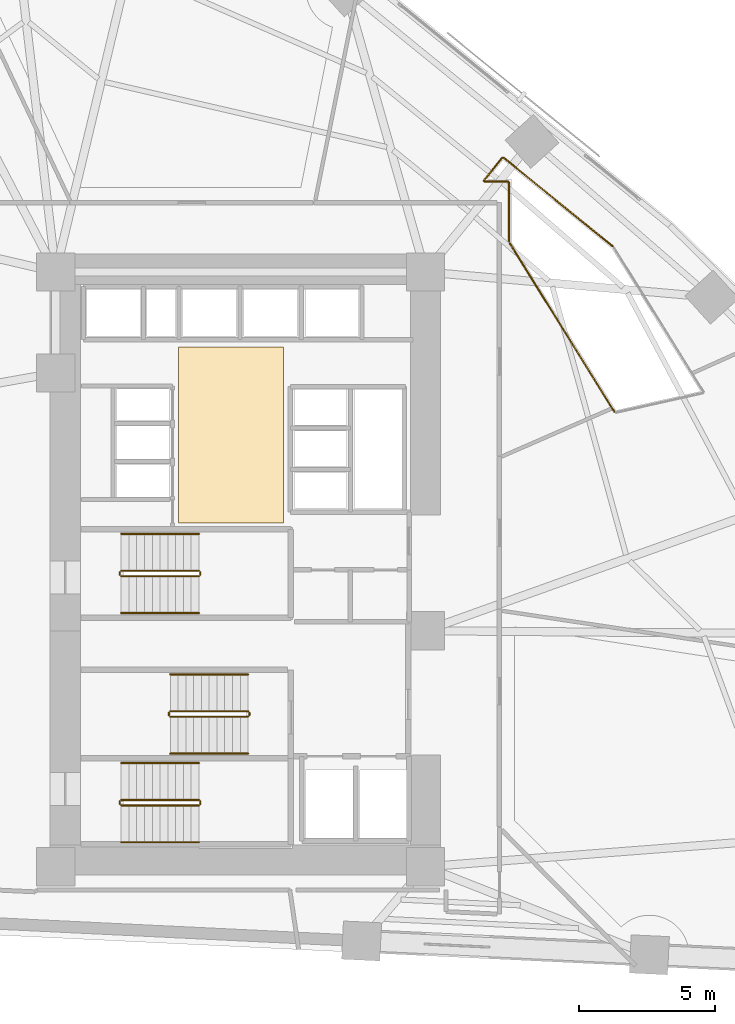
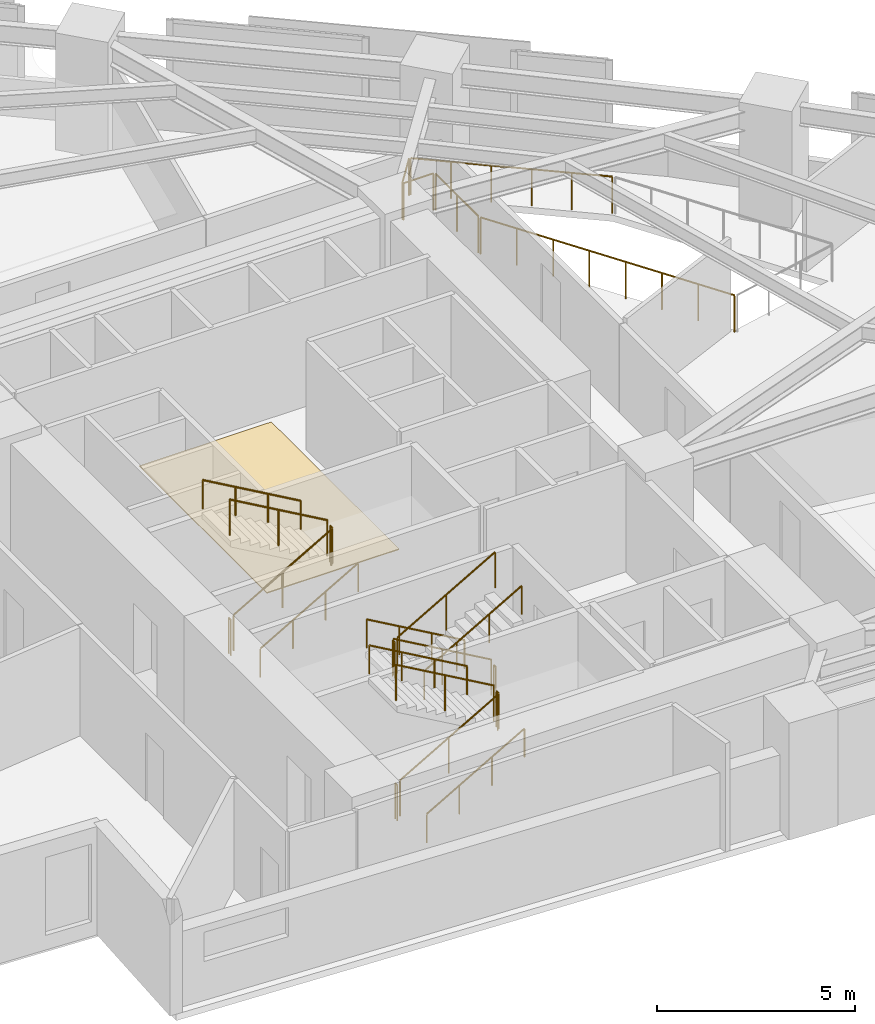
# One storey, part 16 of 17: 23 railings, 1 covering.
"""IFC4 building model written with IfcOpenShell, lengths in metres."""

import ifcopenshell
import ifcopenshell.guid

model = None  # the IFC model being written
_history = None  # IfcOwnerHistory: only IFC2X3 demands one
_inside = {}  # id of a spatial element -> (the spatial element, [elements in it])
_under = {}  # id of a project, library or spatial element -> (it, [spatial elements below it])
_declared = {}  # id of a project -> (the project, [libraries it declares])
_typed = {}  # id of a type object -> (the type object, [elements of that type])
_made_of = {}  # id of a material, layer set ... -> (it, [elements and type objects made of it])


def new_model(schema):
    """Start an empty IFC model of exactly this schema.

    Asked for "IFC4X3", IfcOpenShell would pick the latest addendum, in which some entities
    have other attributes; the version numbers below select the first issue.
    IFC2X3 requires an IfcOwnerHistory on every rooted entity: one is made here for all.
    """
    global model, _history
    if schema == "IFC4X3":
        model = ifcopenshell.file(schema_version=(4, 3, 0, 0))
    else:
        model = ifcopenshell.file(schema=schema)
    _inside.clear()
    _under.clear()
    _declared.clear()
    _typed.clear()
    _made_of.clear()
    _history = None
    if model.schema == "IFC2X3":
        org = make("IfcOrganization", Name="unknown")
        user = make(
            "IfcPersonAndOrganization",
            ThePerson=make("IfcPerson", FamilyName="unknown"),
            TheOrganization=org,
        )
        app = make(
            "IfcApplication",
            ApplicationDeveloper=org,
            Version="unknown",
            ApplicationFullName="unknown",
            ApplicationIdentifier="unknown",
        )
        _history = make(
            "IfcOwnerHistory",
            OwningUser=user,
            OwningApplication=app,
            ChangeAction="ADDED",
            CreationDate=0,
        )
    return model


def make(cls, **values):
    """One entity of the class cls with the attributes given. An attribute that is None is left unset."""
    return model.create_entity(
        cls, **{name: value for name, value in values.items() if value is not None}
    )


def rooted(cls, **values):
    """An entity with a GlobalId (a new one), such as an element, a storey or a relation."""
    return make(cls, GlobalId=ifcopenshell.guid.new(), OwnerHistory=_history, **values)


def si_unit(unit_type, name, prefix=None):
    """IfcSIUnit, for example si_unit("LENGTHUNIT", "METRE", prefix="MILLI")."""
    return make("IfcSIUnit", UnitType=unit_type, Prefix=prefix, Name=name)


def assignment(units):
    """IfcUnitAssignment: the units of a project."""
    return None if units is None else make("IfcUnitAssignment", Units=units)


def point(xyz):
    """IfcCartesianPoint."""
    return None if xyz is None else make("IfcCartesianPoint", Coordinates=xyz)


def direction(xyz):
    """IfcDirection."""
    return None if xyz is None else make("IfcDirection", DirectionRatios=xyz)


def frame(location, z_axis=None, x_axis=None):
    """IfcAxis2Placement3D, a coordinate frame: its origin and axes. An axis left out is left unset."""
    return make(
        "IfcAxis2Placement3D",
        Location=point(location),
        Axis=direction(z_axis),
        RefDirection=direction(x_axis),
    )


def frame_2d(location, x_axis=None):
    """IfcAxis2Placement2D, a coordinate frame in the plane: its origin and x axis."""
    return make(
        "IfcAxis2Placement2D", Location=point(location), RefDirection=direction(x_axis)
    )


def origin():
    """The frame at (0, 0, 0) with its axes left unset."""
    return frame((0.0, 0.0, 0.0))


def origin_2d():
    """The frame at (0, 0) in the plane with its x axis left unset."""
    return frame_2d((0.0, 0.0))


def place(relative_to, where):
    """IfcLocalPlacement: puts the frame where relative to a parent placement (None: the world)."""
    return make(
        "IfcLocalPlacement", PlacementRelTo=relative_to, RelativePlacement=where
    )


def context(
    kind, dimensions, precision=None, world=None, true_north=None, identifier=None
):
    """IfcGeometricRepresentationContext, for example the 3D "Model" context."""
    return make(
        "IfcGeometricRepresentationContext",
        ContextIdentifier=identifier,
        ContextType=kind,
        CoordinateSpaceDimension=dimensions,
        Precision=precision,
        WorldCoordinateSystem=world,
        TrueNorth=true_north,
    )


def subcontext(parent, identifier, kind, view, scale=None):
    """IfcGeometricRepresentationSubContext, for example "Body" below "Model"."""
    return make(
        "IfcGeometricRepresentationSubContext",
        ContextIdentifier=identifier,
        ContextType=kind,
        ParentContext=parent,
        TargetScale=scale,
        TargetView=view,
    )


def project(units=None, contexts=None):
    """IfcProject with its units and contexts."""
    return rooted(
        "IfcProject",
        Name="project",
        RepresentationContexts=contexts,
        UnitsInContext=assignment(units),
    )


def spatial(cls, under=None, at=None, **own):
    """A site, building, storey or space (cls), placed at a placement, below another one or the project."""
    s = rooted(cls, ObjectPlacement=at, **own)
    if under is not None:
        _under.setdefault(under.id(), (under, []))[1].append(s)
    return s


def polyline(points):
    """IfcPolyline through the points."""
    return make("IfcPolyline", Points=[point(p) for p in points])


def profile(cls, at=None, kind="AREA", **sizes):
    """A parametric profile (cls). Its sizes go by their IFC names, for example OverallWidth=200.0."""
    return make(cls, ProfileType=kind, Position=at, **sizes)


def circle(**sizes):
    """IfcCircleProfileDef."""
    return profile("IfcCircleProfileDef", **sizes)


def outline(outer, holes=None, kind="AREA"):
    """IfcArbitraryClosedProfileDef: a profile drawn as a closed curve; with holes, ...WithVoids."""
    if holes is None:
        return make("IfcArbitraryClosedProfileDef", ProfileType=kind, OuterCurve=outer)
    return make(
        "IfcArbitraryProfileDefWithVoids",
        ProfileType=kind,
        OuterCurve=outer,
        InnerCurves=holes,
    )


def extrude(swept, where, along, depth):
    """IfcExtrudedAreaSolid: the profile swept, set in the frame where, extruded along a direction by depth."""
    return make(
        "IfcExtrudedAreaSolid",
        SweptArea=swept,
        Position=where,
        ExtrudedDirection=direction(along),
        Depth=depth,
    )


def shape(context_of_items, identifier, shape_type, items):
    """IfcShapeRepresentation: the items that make up one representation, for example the "Body"."""
    return make(
        "IfcShapeRepresentation",
        ContextOfItems=context_of_items,
        RepresentationIdentifier=identifier,
        RepresentationType=shape_type,
        Items=items,
    )


def material(Name=None, Category=None):
    """IfcMaterial."""
    return make("IfcMaterial", Name=Name, Category=Category)


def layer(
    of_material, thickness, ventilated=None, Name=None, Category=None, Priority=None
):
    """IfcMaterialLayer: one layer of a wall or slab, of a material (None: an air gap)."""
    return make(
        "IfcMaterialLayer",
        Material=of_material,
        LayerThickness=thickness,
        IsVentilated=ventilated,
        Name=Name,
        Category=Category,
        Priority=Priority,
    )


def layer_set(layers, Name=None):
    """IfcMaterialLayerSet."""
    return make("IfcMaterialLayerSet", MaterialLayers=layers, LayerSetName=Name)


def made_of(thing, what):
    """Note that an element or type object is made of a material, layer set ...; save() writes the relation."""
    if what is not None:
        _made_of.setdefault(what.id(), (what, []))[1].append(thing)
    return thing


def type_object(cls, material=None, **own):
    """A type object (cls), such as IfcWallType, which elements share."""
    return made_of(rooted(cls, **own), material)


def element(
    cls,
    number,
    at=None,
    inside=None,
    cuts=None,
    type_object=None,
    material=None,
    context=None,
    identifier="Body",
    shape_type=None,
    held_by="IfcProductDefinitionShape",
    body=None,
    shapes=None,
    **own,
):
    """One element of the class cls, such as IfcWall. Its Tag is "e" and its number.

    at: its placement. inside: the storey or other place that contains it. cuts: it is an
    opening in that element (IfcRelVoidsElement). A single representation is given by context,
    identifier, shape_type and body (its items); several are given by shapes. held_by: the class
    of the entity that holds the representations. save() writes the other relations.
    """
    e = rooted(cls, Tag="e%d" % number, ObjectPlacement=at, **own)
    if body is not None:
        shapes = [shape(context, identifier, shape_type, body)]
    if shapes is not None:
        e.Representation = make(held_by, Representations=shapes)
    if inside is not None:
        _inside.setdefault(inside.id(), (inside, []))[1].append(e)
    if cuts is not None:
        rooted(
            "IfcRelVoidsElement", RelatingBuildingElement=cuts, RelatedOpeningElement=e
        )
    if type_object is not None:
        _typed.setdefault(type_object.id(), (type_object, []))[1].append(e)
    return made_of(e, material)


def aggregate(whole, parts):
    """IfcRelAggregates: a whole, such as a stair, and the parts it consists of."""
    return rooted("IfcRelAggregates", RelatingObject=whole, RelatedObjects=parts)


def save(model, path):
    """Write the relations noted so far, then the file.

    IfcRelAggregates (storeys below a building ...), IfcRelContainedInSpatialStructure (elements
    in a storey), IfcRelDefinesByType, IfcRelAssociatesMaterial and IfcRelDeclares: one each for
    every whole, place, type object, material and project.
    """
    for whole, parts in _under.values():
        aggregate(whole, parts)
    for where, things in _inside.values():
        rooted(
            "IfcRelContainedInSpatialStructure",
            RelatedElements=things,
            RelatingStructure=where,
        )
    for kind, things in _typed.values():
        rooted("IfcRelDefinesByType", RelatedObjects=things, RelatingType=kind)
    for what, things in _made_of.values():
        rooted("IfcRelAssociatesMaterial", RelatedObjects=things, RelatingMaterial=what)
    for by, libraries in _declared.values():
        rooted("IfcRelDeclares", RelatingContext=by, RelatedDefinitions=libraries)
    model.write(path)


model = new_model("IFC4")

# Units and contexts
model_context = context("Model", 3, precision=1e-05, world=origin(), true_north=direction((0.0, 1.0)))
body_context = subcontext(model_context, "Body", "Model", "MODEL_VIEW")
ifc_project = project(units=[si_unit("LENGTHUNIT", "METRE"), si_unit("AREAUNIT", "SQUARE_METRE"), si_unit("VOLUMEUNIT", "CUBIC_METRE"), si_unit("PLANEANGLEUNIT", "RADIAN"), si_unit("MASSUNIT", "GRAM", prefix="KILO")], contexts=[model_context])

# Site, building, storey
site_placement = place(None, origin())
site = spatial("IfcSite", under=ifc_project, at=site_placement, CompositionType="ELEMENT")
building_placement = place(site_placement, origin())
building = spatial("IfcBuilding", under=site, at=building_placement, Name="Narakoshi Arena Tower", CompositionType="ELEMENT")
storey_placement = place(building_placement, frame((0.0, 0.0, 33.89990234375)))
storey = spatial("IfcBuildingStorey", under=building, at=storey_placement, Name="L08", CompositionType="ELEMENT", Elevation=33.89990234375)

# Covering
ifc_material_1 = material(Name="Honed granite stone paving", Category="masonry")
ifc_layer = layer(ifc_material_1, 0.030029296875)
ifc_layer_set = layer_set([ifc_layer], Name="Honed granite stone paving")
covering_type = type_object("IfcCoveringType", Name="COV-FLR-ST30", PredefinedType="FLOORING", material=ifc_layer_set)
covering_placement = place(storey_placement, origin())
element("IfcCovering", 1, at=covering_placement, inside=storey, type_object=covering_type, Name="L08 Lift Lobby Granite Flooring", PredefinedType="FLOORING", context=body_context, shape_type="SweptSolid", body=[
    extrude(outline(polyline([(76.5, 47.300048828125), (80.35009765625, 47.300048828125), (80.35009765625, 53.75), (76.5, 53.75), (76.5, 47.300048828125)])), origin(), (0.0, 0.0, 1.0), 0.030029296875),
])

# Railings
ifc_material_2 = material(Name="Clear low-iron laminated structural glass", Category="glass")
railing_type_1 = type_object("IfcRailingType", Name="RL-BAL-1100", PredefinedType="BALUSTRADE", material=ifc_material_2)
railing_1_placement = place(storey_placement, frame((74.39990234375, 36.949951171875, 0.163818359375)))
element("IfcRailing", 2, at=railing_1_placement, inside=storey, type_object=railing_type_1, Name="L08 ST1 stair guard 1", PredefinedType="BALUSTRADE", context=body_context, shape_type="SweptSolid", body=[
    extrude(circle(Radius=0.02392578125, at=origin_2d()), frame((0.0, 0.0, 1.09619140625), z_axis=(0.867244780686, 0.0, 0.497882004468), x_axis=(0.0, 1.0, 0.0)), (0.0, 0.0, 1.0), 3.286376953125),
    extrude(circle(Radius=0.02099609375, at=origin_2d()), origin(), (0.0, 0.0, 1.0), 1.072021484375),
    extrude(circle(Radius=0.02099609375, at=origin_2d()), frame((1.425048828125, 0.0, 0.818115234375)), (0.0, 0.0, 1.0), 1.072021484375),
    extrude(circle(Radius=0.02099609375, at=origin_2d()), frame((2.85009765625, 0.0, 1.63623046875)), (0.0, 0.0, 1.0), 1.072021484375),
])
railing_2_placement = place(storey_placement, frame((77.300048828125, 37.0, 1.800048828125)))
element("IfcRailing", 3, at=railing_2_placement, inside=storey, type_object=railing_type_1, Name="L08 ST1 stair guard 2", PredefinedType="BALUSTRADE", context=body_context, shape_type="SweptSolid", body=[
    extrude(circle(Radius=0.02392578125, at=origin_2d()), frame((0.0, 0.0, 1.09619140625), z_axis=(0.0, 1.0, 0.0), x_axis=(-1.0, 0.0, 0.0)), (0.0, 0.0, 1.0), 0.10009765625),
    extrude(circle(Radius=0.02099609375, at=origin_2d()), origin(), (0.0, 0.0, 1.0), 1.072021484375),
    extrude(circle(Radius=0.02099609375, at=origin_2d()), frame((0.0, 0.10009765625, 0.0)), (0.0, 0.0, 1.0), 1.072021484375),
])
railing_3_placement = place(storey_placement, frame((77.25, 37.14990234375, 1.963623046875)))
element("IfcRailing", 4, at=railing_3_placement, inside=storey, type_object=railing_type_1, Name="L08 ST1 stair guard 3", PredefinedType="BALUSTRADE", context=body_context, shape_type="SweptSolid", body=[
    extrude(circle(Radius=0.02392578125, at=origin_2d()), frame((0.0, 0.0, 1.09619140625), z_axis=(-0.86721270334, 0.0, 0.497937874806), x_axis=(0.0, -1.0, 0.0)), (0.0, 0.0, 1.0), 3.28662109375),
    extrude(circle(Radius=0.02099609375, at=origin_2d()), origin(), (0.0, 0.0, 1.0), 1.072021484375),
    extrude(circle(Radius=0.02099609375, at=origin_2d()), frame((-1.425048828125, 0.0, 0.818359375)), (0.0, 0.0, 1.0), 1.072021484375),
    extrude(circle(Radius=0.02099609375, at=origin_2d()), frame((-2.85009765625, 0.0, 1.636474609375)), (0.0, 0.0, 1.0), 1.072021484375),
])
railing_4_placement = place(storey_placement, frame((74.35009765625, 37.0, 0.0)))
element("IfcRailing", 5, at=railing_4_placement, inside=storey, type_object=railing_type_1, Name="L08 ST1 stair guard 4", PredefinedType="BALUSTRADE", context=body_context, shape_type="SweptSolid", body=[
    extrude(circle(Radius=0.02392578125, at=origin_2d()), frame((0.0, 0.0, 1.09619140625), z_axis=(0.0, 1.0, 0.0), x_axis=(-1.0, 0.0, 0.0)), (0.0, 0.0, 1.0), 0.10009765625),
    extrude(circle(Radius=0.02099609375, at=origin_2d()), origin(), (0.0, 0.0, 1.0), 1.072021484375),
    extrude(circle(Radius=0.02099609375, at=origin_2d()), frame((0.0, 0.10009765625, 0.0)), (0.0, 0.0, 1.0), 1.072021484375),
])
railing_5_placement = place(storey_placement, frame((79.050048828125, 40.39990234375, 0.163818359375)))
element("IfcRailing", 6, at=railing_5_placement, inside=storey, type_object=railing_type_1, Name="L08 ST2 stair guard 1", PredefinedType="BALUSTRADE", context=body_context, shape_type="SweptSolid", body=[
    extrude(circle(Radius=0.02392578125, at=origin_2d()), frame((0.0, 0.0, 1.09619140625), z_axis=(-0.867244780686, 0.0, 0.497882004468), x_axis=(0.0, -1.0, 0.0)), (0.0, 0.0, 1.0), 3.286376953125),
    extrude(circle(Radius=0.02099609375, at=origin_2d()), origin(), (0.0, 0.0, 1.0), 1.072021484375),
    extrude(circle(Radius=0.02099609375, at=origin_2d()), frame((-1.425048828125, 0.0, 0.818115234375)), (0.0, 0.0, 1.0), 1.072021484375),
    extrude(circle(Radius=0.02099609375, at=origin_2d()), frame((-2.85009765625, 0.0, 1.63623046875)), (0.0, 0.0, 1.0), 1.072021484375),
])
railing_6_placement = place(storey_placement, frame((76.14990234375, 40.35009765625, 1.800048828125)))
element("IfcRailing", 7, at=railing_6_placement, inside=storey, type_object=railing_type_1, Name="L08 ST2 stair guard 2", PredefinedType="BALUSTRADE", context=body_context, shape_type="SweptSolid", body=[
    extrude(circle(Radius=0.02392578125, at=origin_2d()), frame((0.0, 0.0, 1.09619140625), z_axis=(0.0, -1.0, 0.0), x_axis=(1.0, 0.0, 0.0)), (0.0, 0.0, 1.0), 0.10009765625),
    extrude(circle(Radius=0.02099609375, at=origin_2d()), origin(), (0.0, 0.0, 1.0), 1.072021484375),
    extrude(circle(Radius=0.02099609375, at=origin_2d()), frame((0.0, -0.10009765625, 0.0)), (0.0, 0.0, 1.0), 1.072021484375),
])
railing_7_placement = place(storey_placement, frame((76.199951171875, 40.199951171875, 1.963623046875)))
element("IfcRailing", 8, at=railing_7_placement, inside=storey, type_object=railing_type_1, Name="L08 ST2 stair guard 3", PredefinedType="BALUSTRADE", context=body_context, shape_type="SweptSolid", body=[
    extrude(circle(Radius=0.02392578125, at=origin_2d()), frame((0.0, 0.0, 1.09619140625), z_axis=(0.86721270334, 0.0, 0.497937874806), x_axis=(0.0, 1.0, 0.0)), (0.0, 0.0, 1.0), 3.28662109375),
    extrude(circle(Radius=0.02099609375, at=origin_2d()), origin(), (0.0, 0.0, 1.0), 1.072021484375),
    extrude(circle(Radius=0.02099609375, at=origin_2d()), frame((1.425048828125, 0.0, 0.818359375)), (0.0, 0.0, 1.0), 1.072021484375),
    extrude(circle(Radius=0.02099609375, at=origin_2d()), frame((2.85009765625, 0.0, 1.636474609375)), (0.0, 0.0, 1.0), 1.072021484375),
])
railing_8_placement = place(storey_placement, frame((79.10009765625, 40.35009765625, 0.0)))
element("IfcRailing", 9, at=railing_8_placement, inside=storey, type_object=railing_type_1, Name="L08 ST2 stair guard 4", PredefinedType="BALUSTRADE", context=body_context, shape_type="SweptSolid", body=[
    extrude(circle(Radius=0.02392578125, at=origin_2d()), frame((0.0, 0.0, 1.09619140625), z_axis=(0.0, -1.0, 0.0), x_axis=(1.0, 0.0, 0.0)), (0.0, 0.0, 1.0), 0.10009765625),
    extrude(circle(Radius=0.02099609375, at=origin_2d()), origin(), (0.0, 0.0, 1.0), 1.072021484375),
    extrude(circle(Radius=0.02099609375, at=origin_2d()), frame((0.0, -0.10009765625, 0.0)), (0.0, 0.0, 1.0), 1.072021484375),
])
railing_9_placement = place(storey_placement, frame((74.39990234375, 45.35009765625, 0.163818359375)))
element("IfcRailing", 10, at=railing_9_placement, inside=storey, type_object=railing_type_1, Name="L08 ST3 stair guard 1", PredefinedType="BALUSTRADE", context=body_context, shape_type="SweptSolid", body=[
    extrude(circle(Radius=0.02392578125, at=origin_2d()), frame((0.0, 0.0, 1.09619140625), z_axis=(0.867244780686, 0.0, 0.497882004468), x_axis=(0.0, 1.0, 0.0)), (0.0, 0.0, 1.0), 3.286376953125),
    extrude(circle(Radius=0.02099609375, at=origin_2d()), origin(), (0.0, 0.0, 1.0), 1.072021484375),
    extrude(circle(Radius=0.02099609375, at=origin_2d()), frame((1.425048828125, 0.0, 0.818115234375)), (0.0, 0.0, 1.0), 1.072021484375),
    extrude(circle(Radius=0.02099609375, at=origin_2d()), frame((2.85009765625, 0.0, 1.63623046875)), (0.0, 0.0, 1.0), 1.072021484375),
])
railing_10_placement = place(storey_placement, frame((77.300048828125, 45.39990234375, 1.800048828125)))
element("IfcRailing", 11, at=railing_10_placement, inside=storey, type_object=railing_type_1, Name="L08 ST3 stair guard 2", PredefinedType="BALUSTRADE", context=body_context, shape_type="SweptSolid", body=[
    extrude(circle(Radius=0.02392578125, at=origin_2d()), frame((0.0, 0.0, 1.09619140625), z_axis=(0.0, 1.0, 0.0), x_axis=(-1.0, 0.0, 0.0)), (0.0, 0.0, 1.0), 0.10009765625),
    extrude(circle(Radius=0.02099609375, at=origin_2d()), origin(), (0.0, 0.0, 1.0), 1.072021484375),
    extrude(circle(Radius=0.02099609375, at=origin_2d()), frame((0.0, 0.10009765625, 0.0)), (0.0, 0.0, 1.0), 1.072021484375),
])
railing_11_placement = place(storey_placement, frame((77.25, 45.550048828125, 1.963623046875)))
element("IfcRailing", 12, at=railing_11_placement, inside=storey, type_object=railing_type_1, Name="L08 ST3 stair guard 3", PredefinedType="BALUSTRADE", context=body_context, shape_type="SweptSolid", body=[
    extrude(circle(Radius=0.02392578125, at=origin_2d()), frame((0.0, 0.0, 1.09619140625), z_axis=(-0.86721270334, 0.0, 0.497937874806), x_axis=(0.0, -1.0, 0.0)), (0.0, 0.0, 1.0), 3.28662109375),
    extrude(circle(Radius=0.02099609375, at=origin_2d()), origin(), (0.0, 0.0, 1.0), 1.072021484375),
    extrude(circle(Radius=0.02099609375, at=origin_2d()), frame((-1.425048828125, 0.0, 0.818359375)), (0.0, 0.0, 1.0), 1.072021484375),
    extrude(circle(Radius=0.02099609375, at=origin_2d()), frame((-2.85009765625, 0.0, 1.636474609375)), (0.0, 0.0, 1.0), 1.072021484375),
])
railing_12_placement = place(storey_placement, frame((74.35009765625, 45.39990234375, 0.0)))
element("IfcRailing", 13, at=railing_12_placement, inside=storey, type_object=railing_type_1, Name="L08 ST3 stair guard 4", PredefinedType="BALUSTRADE", context=body_context, shape_type="SweptSolid", body=[
    extrude(circle(Radius=0.02392578125, at=origin_2d()), frame((0.0, 0.0, 1.09619140625), z_axis=(0.0, 1.0, 0.0), x_axis=(-1.0, 0.0, 0.0)), (0.0, 0.0, 1.0), 0.10009765625),
    extrude(circle(Radius=0.02099609375, at=origin_2d()), origin(), (0.0, 0.0, 1.0), 1.072021484375),
    extrude(circle(Radius=0.02099609375, at=origin_2d()), frame((0.0, 0.10009765625, 0.0)), (0.0, 0.0, 1.0), 1.072021484375),
])
ifc_material_3 = material(Name="Brushed bronze stainless steel", Category="steel")
railing_type_2 = type_object("IfcRailingType", Name="RL-GRD-1150", PredefinedType="GUARDRAIL", material=ifc_material_3)
railing_13_placement = place(storey_placement, frame((92.477294921875, 51.3740234375, 0.0)))
element("IfcRailing", 14, at=railing_13_placement, inside=storey, type_object=railing_type_2, Name="L08 Sky-Garden Atrium Void Guardrail 1", PredefinedType="GUARDRAIL", context=body_context, shape_type="SweptSolid", body=[
    extrude(circle(Radius=0.02392578125, at=origin_2d()), frame((0.0, 0.0, 1.1259765625), z_axis=(-0.527639514135, 0.849468388537, 0.0), x_axis=(-0.849468388537, -0.527639514135, 0.0)), (0.0, 0.0, 1.0), 7.2705078125),
    extrude(circle(Radius=0.02099609375, at=origin_2d()), origin(), (0.0, 0.0, 1.0), 1.101806640625),
    extrude(circle(Radius=0.02099609375, at=origin_2d()), frame((-0.548095703125, 0.88232421875, 0.0)), (0.0, 0.0, 1.0), 1.101806640625),
    extrude(circle(Radius=0.02099609375, at=origin_2d()), frame((-1.095947265625, 1.7646484375, 0.0)), (0.0, 0.0, 1.0), 1.101806640625),
    extrude(circle(Radius=0.02099609375, at=origin_2d()), frame((-1.64404296875, 2.64697265625, 0.0)), (0.0, 0.0, 1.0), 1.101806640625),
    extrude(circle(Radius=0.02099609375, at=origin_2d()), frame((-2.192138671875, 3.529052734375, 0.0)), (0.0, 0.0, 1.0), 1.101806640625),
    extrude(circle(Radius=0.02099609375, at=origin_2d()), frame((-2.740234375, 4.411376953125, 0.0)), (0.0, 0.0, 1.0), 1.101806640625),
    extrude(circle(Radius=0.02099609375, at=origin_2d()), frame((-3.2880859375, 5.293701171875, 0.0)), (0.0, 0.0, 1.0), 1.101806640625),
    extrude(circle(Radius=0.02099609375, at=origin_2d()), frame((-3.836181640625, 6.176025390625, 0.0)), (0.0, 0.0, 1.0), 1.101806640625),
])
railing_14_placement = place(storey_placement, frame((88.6201171875, 57.6240234375, 0.0)))
element("IfcRailing", 15, at=railing_14_placement, inside=storey, type_object=railing_type_2, Name="L08 Sky-Garden Atrium Void Guardrail 2", PredefinedType="GUARDRAIL", context=body_context, shape_type="SweptSolid", body=[
    extrude(circle(Radius=0.02392578125, at=origin_2d()), frame((0.0, 0.0, 1.1259765625), z_axis=(0.0, 1.0, 0.0), x_axis=(-1.0, 0.0, 0.0)), (0.0, 0.0, 1.0), 2.156005859375),
    extrude(circle(Radius=0.02099609375, at=origin_2d()), origin(), (0.0, 0.0, 1.0), 1.101806640625),
    extrude(circle(Radius=0.02099609375, at=origin_2d()), frame((0.0, 1.078125, 0.0)), (0.0, 0.0, 1.0), 1.101806640625),
    extrude(circle(Radius=0.02099609375, at=origin_2d()), frame((0.0, 2.156005859375, 0.0)), (0.0, 0.0, 1.0), 1.101806640625),
])
railing_15_placement = place(storey_placement, frame((88.580078125, 59.820068359375, 0.0)))
element("IfcRailing", 16, at=railing_15_placement, inside=storey, type_object=railing_type_2, Name="L08 Sky-Garden Atrium Void Guardrail 3", PredefinedType="GUARDRAIL", context=body_context, shape_type="SweptSolid", body=[
    extrude(circle(Radius=0.02392578125, at=origin_2d()), frame((0.0, 0.0, 1.1259765625), z_axis=(-1.0, 0.0, 0.0), x_axis=(0.0, -1.0, 0.0)), (0.0, 0.0, 1.0), 0.875244140625),
    extrude(circle(Radius=0.02099609375, at=origin_2d()), origin(), (0.0, 0.0, 1.0), 1.101806640625),
    extrude(circle(Radius=0.02099609375, at=origin_2d()), frame((-0.875244140625, 0.0, 0.0)), (0.0, 0.0, 1.0), 1.101806640625),
])
railing_16_placement = place(storey_placement, frame((87.68994140625, 59.85107421875, 0.0)))
element("IfcRailing", 17, at=railing_16_placement, inside=storey, type_object=railing_type_2, Name="L08 Sky-Garden Atrium Void Guardrail 4", PredefinedType="GUARDRAIL", context=body_context, shape_type="SweptSolid", body=[
    extrude(circle(Radius=0.02392578125, at=origin_2d()), frame((0.0, 0.0, 1.1259765625), z_axis=(0.628863159406, 0.77751599774, 0.0), x_axis=(-0.77751599774, 0.628863159406, 0.0)), (0.0, 0.0, 1.0), 1.069091796875),
    extrude(circle(Radius=0.02099609375, at=origin_2d()), origin(), (0.0, 0.0, 1.0), 1.101806640625),
    extrude(circle(Radius=0.02099609375, at=origin_2d()), frame((0.67236328125, 0.831298828125, 0.0)), (0.0, 0.0, 1.0), 1.101806640625),
])
railing_17_placement = place(storey_placement, frame((88.41845703125, 60.688232421875, 0.0)))
element("IfcRailing", 18, at=railing_17_placement, inside=storey, type_object=railing_type_2, Name="L08 Sky-Garden Atrium Void Guardrail 5", PredefinedType="GUARDRAIL", context=body_context, shape_type="SweptSolid", body=[
    extrude(circle(Radius=0.02392578125, at=origin_2d()), frame((0.0, 0.0, 1.1259765625), z_axis=(0.775992142354, -0.630742574276, 0.0), x_axis=(0.630742574276, 0.775992142354, 0.0)), (0.0, 0.0, 1.0), 5.1484375),
    extrude(circle(Radius=0.02099609375, at=origin_2d()), origin(), (0.0, 0.0, 1.0), 1.101806640625),
    extrude(circle(Radius=0.02099609375, at=origin_2d()), frame((0.799072265625, -0.6494140625, 0.0)), (0.0, 0.0, 1.0), 1.101806640625),
    extrude(circle(Radius=0.02099609375, at=origin_2d()), frame((1.59814453125, -1.298828125, 0.0)), (0.0, 0.0, 1.0), 1.101806640625),
    extrude(circle(Radius=0.02099609375, at=origin_2d()), frame((2.39697265625, -1.948486328125, 0.0)), (0.0, 0.0, 1.0), 1.101806640625),
    extrude(circle(Radius=0.02099609375, at=origin_2d()), frame((3.196044921875, -2.597900390625, 0.0)), (0.0, 0.0, 1.0), 1.101806640625),
    extrude(circle(Radius=0.02099609375, at=origin_2d()), frame((3.9951171875, -3.247314453125, 0.0)), (0.0, 0.0, 1.0), 1.101806640625),
])
railing_type_3 = type_object("IfcRailingType", Name="RL-HND-900", PredefinedType="HANDRAIL", material=ifc_material_3)
railing_18_placement = place(storey_placement, frame((74.39990234375, 35.60009765625, 0.163818359375)))
element("IfcRailing", 19, at=railing_18_placement, inside=storey, type_object=railing_type_3, Name="L08 ST1 stair handrail 1", PredefinedType="HANDRAIL", context=body_context, shape_type="SweptSolid", body=[
    extrude(circle(Radius=0.02392578125, at=origin_2d()), frame((0.0, 0.0, 0.8759765625), z_axis=(0.867244780686, 0.0, 0.497882004468), x_axis=(0.0, 1.0, 0.0)), (0.0, 0.0, 1.0), 3.286376953125),
    extrude(circle(Radius=0.02099609375, at=origin_2d()), origin(), (0.0, 0.0, 1.0), 0.851806640625),
    extrude(circle(Radius=0.02099609375, at=origin_2d()), frame((0.949951171875, 0.0, 0.54541015625)), (0.0, 0.0, 1.0), 0.851806640625),
    extrude(circle(Radius=0.02099609375, at=origin_2d()), frame((1.900146484375, 0.0, 1.0908203125)), (0.0, 0.0, 1.0), 0.851806640625),
    extrude(circle(Radius=0.02099609375, at=origin_2d()), frame((2.85009765625, 0.0, 1.63623046875)), (0.0, 0.0, 1.0), 0.851806640625),
])
railing_19_placement = place(storey_placement, frame((77.25, 38.5, 1.963623046875)))
element("IfcRailing", 20, at=railing_19_placement, inside=storey, type_object=railing_type_3, Name="L08 ST1 stair handrail 2", PredefinedType="HANDRAIL", context=body_context, shape_type="SweptSolid", body=[
    extrude(circle(Radius=0.02392578125, at=origin_2d()), frame((0.0, 0.0, 0.8759765625), z_axis=(-0.86721270334, 0.0, 0.497937874806), x_axis=(0.0, -1.0, 0.0)), (0.0, 0.0, 1.0), 3.28662109375),
    extrude(circle(Radius=0.02099609375, at=origin_2d()), origin(), (0.0, 0.0, 1.0), 0.851806640625),
    extrude(circle(Radius=0.02099609375, at=origin_2d()), frame((-0.949951171875, 0.0, 0.54541015625)), (0.0, 0.0, 1.0), 0.851806640625),
    extrude(circle(Radius=0.02099609375, at=origin_2d()), frame((-1.900146484375, 0.0, 1.091064453125)), (0.0, 0.0, 1.0), 0.851806640625),
    extrude(circle(Radius=0.02099609375, at=origin_2d()), frame((-2.85009765625, 0.0, 1.636474609375)), (0.0, 0.0, 1.0), 0.851806640625),
])
railing_20_placement = place(storey_placement, frame((79.050048828125, 41.75, 0.163818359375)))
element("IfcRailing", 21, at=railing_20_placement, inside=storey, type_object=railing_type_3, Name="L08 ST2 stair handrail 1", PredefinedType="HANDRAIL", context=body_context, shape_type="SweptSolid", body=[
    extrude(circle(Radius=0.02392578125, at=origin_2d()), frame((0.0, 0.0, 0.8759765625), z_axis=(-0.867244780686, 0.0, 0.497882004468), x_axis=(0.0, -1.0, 0.0)), (0.0, 0.0, 1.0), 3.286376953125),
    extrude(circle(Radius=0.02099609375, at=origin_2d()), origin(), (0.0, 0.0, 1.0), 0.851806640625),
    extrude(circle(Radius=0.02099609375, at=origin_2d()), frame((-0.949951171875, 0.0, 0.54541015625)), (0.0, 0.0, 1.0), 0.851806640625),
    extrude(circle(Radius=0.02099609375, at=origin_2d()), frame((-1.900146484375, 0.0, 1.0908203125)), (0.0, 0.0, 1.0), 0.851806640625),
    extrude(circle(Radius=0.02099609375, at=origin_2d()), frame((-2.85009765625, 0.0, 1.63623046875)), (0.0, 0.0, 1.0), 0.851806640625),
])
railing_21_placement = place(storey_placement, frame((76.199951171875, 38.85009765625, 1.963623046875)))
element("IfcRailing", 22, at=railing_21_placement, inside=storey, type_object=railing_type_3, Name="L08 ST2 stair handrail 2", PredefinedType="HANDRAIL", context=body_context, shape_type="SweptSolid", body=[
    extrude(circle(Radius=0.02392578125, at=origin_2d()), frame((0.0, 0.0, 0.8759765625), z_axis=(0.86721270334, 0.0, 0.497937874806), x_axis=(0.0, 1.0, 0.0)), (0.0, 0.0, 1.0), 3.28662109375),
    extrude(circle(Radius=0.02099609375, at=origin_2d()), origin(), (0.0, 0.0, 1.0), 0.851806640625),
    extrude(circle(Radius=0.02099609375, at=origin_2d()), frame((0.949951171875, 0.0, 0.54541015625)), (0.0, 0.0, 1.0), 0.851806640625),
    extrude(circle(Radius=0.02099609375, at=origin_2d()), frame((1.900146484375, 0.0, 1.091064453125)), (0.0, 0.0, 1.0), 0.851806640625),
    extrude(circle(Radius=0.02099609375, at=origin_2d()), frame((2.85009765625, 0.0, 1.636474609375)), (0.0, 0.0, 1.0), 0.851806640625),
])
railing_22_placement = place(storey_placement, frame((74.39990234375, 44.0, 0.163818359375)))
element("IfcRailing", 23, at=railing_22_placement, inside=storey, type_object=railing_type_3, Name="L08 ST3 stair handrail 1", PredefinedType="HANDRAIL", context=body_context, shape_type="SweptSolid", body=[
    extrude(circle(Radius=0.02392578125, at=origin_2d()), frame((0.0, 0.0, 0.8759765625), z_axis=(0.867244780686, 0.0, 0.497882004468), x_axis=(0.0, 1.0, 0.0)), (0.0, 0.0, 1.0), 3.286376953125),
    extrude(circle(Radius=0.02099609375, at=origin_2d()), origin(), (0.0, 0.0, 1.0), 0.851806640625),
    extrude(circle(Radius=0.02099609375, at=origin_2d()), frame((0.949951171875, 0.0, 0.54541015625)), (0.0, 0.0, 1.0), 0.851806640625),
    extrude(circle(Radius=0.02099609375, at=origin_2d()), frame((1.900146484375, 0.0, 1.0908203125)), (0.0, 0.0, 1.0), 0.851806640625),
    extrude(circle(Radius=0.02099609375, at=origin_2d()), frame((2.85009765625, 0.0, 1.63623046875)), (0.0, 0.0, 1.0), 0.851806640625),
])
railing_23_placement = place(storey_placement, frame((77.25, 46.89990234375, 1.963623046875)))
element("IfcRailing", 24, at=railing_23_placement, inside=storey, type_object=railing_type_3, Name="L08 ST3 stair handrail 2", PredefinedType="HANDRAIL", context=body_context, shape_type="SweptSolid", body=[
    extrude(circle(Radius=0.02392578125, at=origin_2d()), frame((0.0, 0.0, 0.8759765625), z_axis=(-0.86721270334, 0.0, 0.497937874806), x_axis=(0.0, -1.0, 0.0)), (0.0, 0.0, 1.0), 3.28662109375),
    extrude(circle(Radius=0.02099609375, at=origin_2d()), origin(), (0.0, 0.0, 1.0), 0.851806640625),
    extrude(circle(Radius=0.02099609375, at=origin_2d()), frame((-0.949951171875, 0.0, 0.54541015625)), (0.0, 0.0, 1.0), 0.851806640625),
    extrude(circle(Radius=0.02099609375, at=origin_2d()), frame((-1.900146484375, 0.0, 1.091064453125)), (0.0, 0.0, 1.0), 0.851806640625),
    extrude(circle(Radius=0.02099609375, at=origin_2d()), frame((-2.85009765625, 0.0, 1.636474609375)), (0.0, 0.0, 1.0), 0.851806640625),
])

save(model, "model.ifc")
